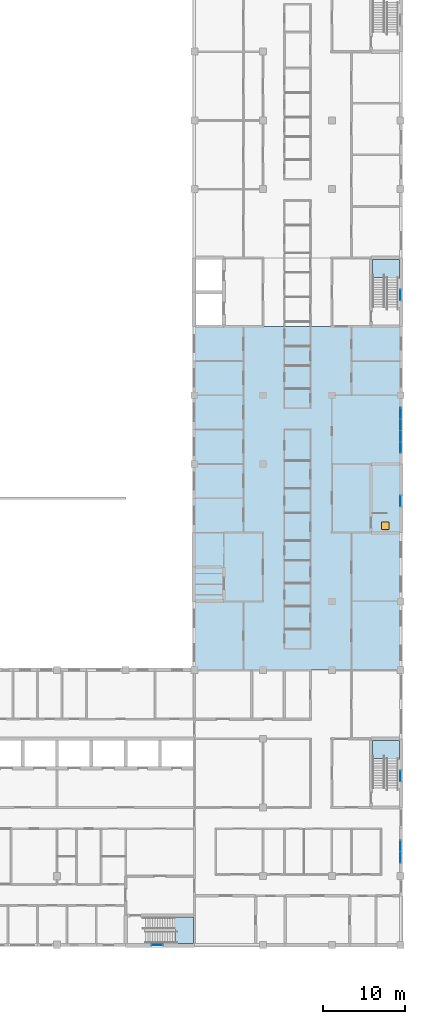
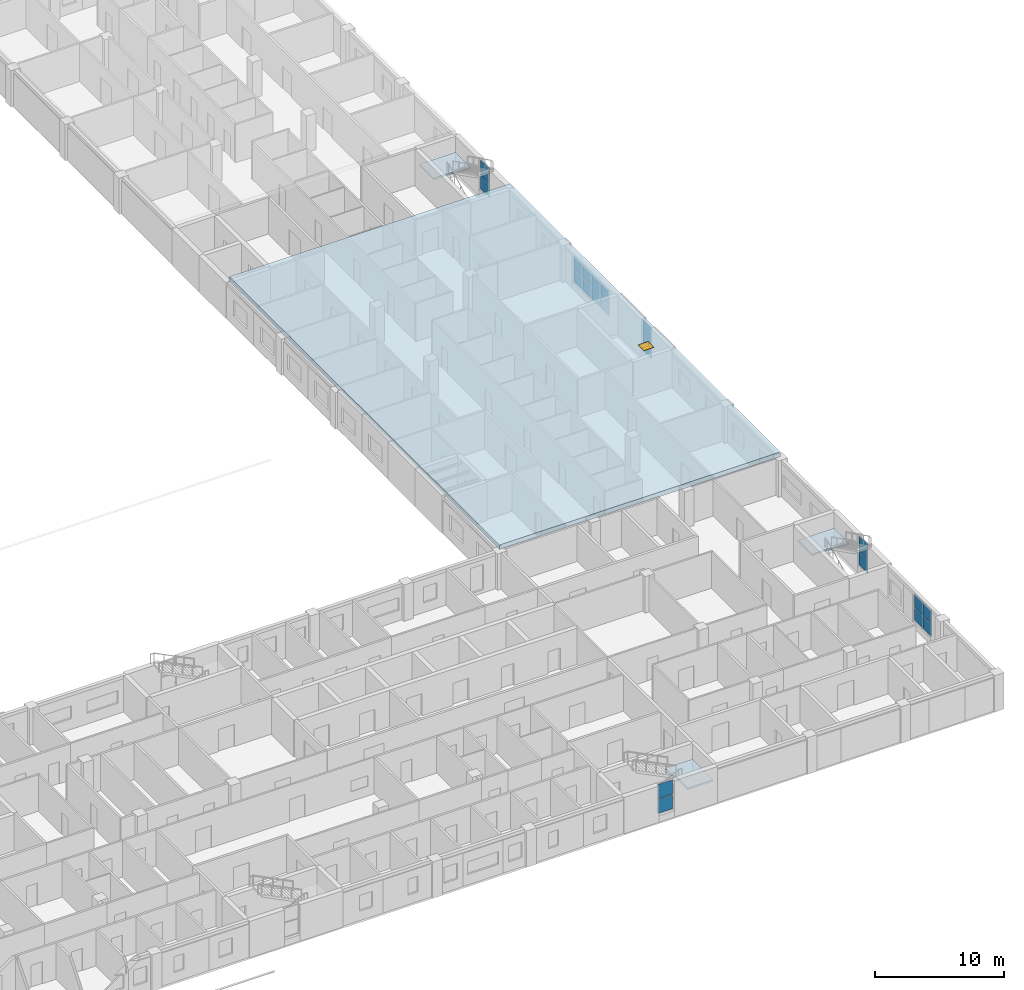
# One storey, part 49 of 94: 20 plates, 4 slabs, 1 door, 1 opening, 9 elements without a shape of their own.
"""IFC4 building model written with IfcOpenShell, lengths in metres."""

from ifc_helpers import new_model, si_unit, direction, frame, origin, origin_2d, place, context, subcontext, project, spatial, polyline, rectangle, outline, extrude, material, layer, layer_set, type_object, element, fill, aggregate, save


model = new_model("IFC4")

# Units and contexts
model_context = context("Model", 3, precision=1e-05, world=origin(), true_north=direction((0.0, 1.0)))
body_context = subcontext(model_context, "Body", "Model", "MODEL_VIEW")
ifc_project = project(units=[si_unit("LENGTHUNIT", "METRE"), si_unit("AREAUNIT", "SQUARE_METRE"), si_unit("VOLUMEUNIT", "CUBIC_METRE"), si_unit("PLANEANGLEUNIT", "RADIAN"), si_unit("MASSUNIT", "GRAM", prefix="KILO")], contexts=[model_context])

# Site, building, storey
site_placement = place(None, origin())
site = spatial("IfcSite", under=ifc_project, at=site_placement, CompositionType="ELEMENT")
building_placement = place(site_placement, origin())
building = spatial("IfcBuilding", under=site, at=building_placement, Name="Yavir Park General Hospital", CompositionType="ELEMENT")
storey_placement = place(building_placement, frame((0.0, 0.0, 4.5)))
storey = spatial("IfcBuildingStorey", under=building, at=storey_placement, Name="L01", CompositionType="ELEMENT", Elevation=4.5)

# Curtain wall, plates
ifc_material_1 = material(Name="Aluminium curtain wall frame with insulated glazing", Category="aluminium")
curtain_wall_type_1 = type_object("IfcCurtainWallType", Name="Clinical corridor end glazing, 2550 high, 1400 module", PredefinedType="NOTDEFINED", material=ifc_material_1)
curtain_wall_1_placement = place(storey_placement, origin())
curtain_wall_1 = element("IfcCurtainWall", 1, at=curtain_wall_1_placement, inside=storey, type_object=curtain_wall_type_1, Name="CW55 L01-028", PredefinedType="NOTDEFINED")
ifc_material_2 = material(Name="Solar-control insulated glazed unit 40 mm")
ifc_layer_1 = layer(ifc_material_2, 0.0400390625)
ifc_layer_set_1 = layer_set([ifc_layer_1], Name="Solar-control insulated glazed unit 40 mm")
plate_type_1 = type_object("IfcPlateType", Name="Clinical corridor end glazing, 2550 high panel 40", PredefinedType="CURTAIN_PANEL", material=ifc_layer_set_1)
plate_1_placement = place(storey_placement, frame((168.0, 10.71240234375, 0.64990234375), z_axis=(0.0, 0.0, 1.0), x_axis=(0.0, 1.0, 0.0)))
plate_1 = element("IfcPlate", 2, at=plate_1_placement, type_object=plate_type_1, Name="CW55 panel 1.1", PredefinedType="CURTAIN_PANEL", context=body_context, shape_type="SweptSolid", body=[
    extrude(rectangle(XDim=1.324951171875, YDim=0.0400390625, at=origin_2d()), origin(), (0.0, 0.0, 1.0), 1.199951171875),
])
plate_2_placement = place(storey_placement, frame((168.0, 10.71240234375, 1.89990234375), z_axis=(0.0, 0.0, 1.0), x_axis=(0.0, 1.0, 0.0)))
plate_2 = element("IfcPlate", 3, at=plate_2_placement, type_object=plate_type_1, Name="CW55 panel 1.2", PredefinedType="CURTAIN_PANEL", context=body_context, shape_type="SweptSolid", body=[
    extrude(rectangle(XDim=1.324951171875, YDim=0.0400390625, at=origin_2d()), origin(), (0.0, 0.0, 1.0), 1.199951171875),
])
plate_3_placement = place(storey_placement, frame((168.0, 12.08740234375, 0.64990234375), z_axis=(0.0, 0.0, 1.0), x_axis=(0.0, 1.0, 0.0)))
plate_3 = element("IfcPlate", 4, at=plate_3_placement, type_object=plate_type_1, Name="CW55 panel 2.1", PredefinedType="CURTAIN_PANEL", context=body_context, shape_type="SweptSolid", body=[
    extrude(rectangle(XDim=1.324951171875, YDim=0.0400390625, at=origin_2d()), origin(), (0.0, 0.0, 1.0), 1.199951171875),
])
plate_4_placement = place(storey_placement, frame((168.0, 12.08740234375, 1.89990234375), z_axis=(0.0, 0.0, 1.0), x_axis=(0.0, 1.0, 0.0)))
plate_4 = element("IfcPlate", 5, at=plate_4_placement, type_object=plate_type_1, Name="CW55 panel 2.2", PredefinedType="CURTAIN_PANEL", context=body_context, shape_type="SweptSolid", body=[
    extrude(rectangle(XDim=1.324951171875, YDim=0.0400390625, at=origin_2d()), origin(), (0.0, 0.0, 1.0), 1.199951171875),
])
aggregate(curtain_wall_1, [plate_1, plate_2, plate_3, plate_4])

ifc_material_3 = material(Name="Aluminium curtain wall frame with insulated glazing", Category="aluminium")
curtain_wall_type_2 = type_object("IfcCurtainWallType", Name="Day room pocket glazing, clinical floors, 2550 high, 1400 module", PredefinedType="NOTDEFINED", material=ifc_material_3)
curtain_wall_2_placement = place(storey_placement, origin())
curtain_wall_2 = element("IfcCurtainWall", 6, at=curtain_wall_2_placement, inside=storey, type_object=curtain_wall_type_2, Name="CW17 L01-031", PredefinedType="NOTDEFINED")
ifc_material_4 = material(Name="Solar-control insulated glazed unit 40 mm")
ifc_layer_2 = layer(ifc_material_4, 0.0400390625)
ifc_layer_set_2 = layer_set([ifc_layer_2], Name="Solar-control insulated glazed unit 40 mm")
plate_type_2 = type_object("IfcPlateType", Name="Day room pocket glazing, clinical floors, 2550 high panel 40", PredefinedType="CURTAIN_PANEL", material=ifc_layer_set_2)
plate_5_placement = place(storey_placement, frame((168.0, 60.81494140625, 0.659912109375), z_axis=(0.0, 0.0, 1.0), x_axis=(0.0, 1.0, 0.0)))
plate_5 = element("IfcPlate", 7, at=plate_5_placement, type_object=plate_type_2, Name="CW17 panel 1.1", PredefinedType="CURTAIN_PANEL", context=body_context, shape_type="SweptSolid", body=[
    extrude(rectangle(XDim=1.31005859375, YDim=0.0400390625, at=origin_2d()), origin(), (0.0, 0.0, 1.0), 1.18505859375),
])
plate_6_placement = place(storey_placement, frame((168.0, 60.81494140625, 1.905029296875), z_axis=(0.0, 0.0, 1.0), x_axis=(0.0, 1.0, 0.0)))
plate_6 = element("IfcPlate", 8, at=plate_6_placement, type_object=plate_type_2, Name="CW17 panel 1.2", PredefinedType="CURTAIN_PANEL", context=body_context, shape_type="SweptSolid", body=[
    extrude(rectangle(XDim=1.31005859375, YDim=0.0400390625, at=origin_2d()), origin(), (0.0, 0.0, 1.0), 1.18505859375),
])
plate_7_placement = place(storey_placement, frame((168.0, 62.199951171875, 0.659912109375), z_axis=(0.0, 0.0, 1.0), x_axis=(0.0, 1.0, 0.0)))
plate_7 = element("IfcPlate", 9, at=plate_7_placement, type_object=plate_type_2, Name="CW17 panel 2.1", PredefinedType="CURTAIN_PANEL", context=body_context, shape_type="SweptSolid", body=[
    extrude(rectangle(XDim=1.340087890625, YDim=0.0400390625, at=origin_2d()), origin(), (0.0, 0.0, 1.0), 1.18505859375),
])
plate_8_placement = place(storey_placement, frame((168.0, 62.199951171875, 1.905029296875), z_axis=(0.0, 0.0, 1.0), x_axis=(0.0, 1.0, 0.0)))
plate_8 = element("IfcPlate", 10, at=plate_8_placement, type_object=plate_type_2, Name="CW17 panel 2.2", PredefinedType="CURTAIN_PANEL", context=body_context, shape_type="SweptSolid", body=[
    extrude(rectangle(XDim=1.340087890625, YDim=0.0400390625, at=origin_2d()), origin(), (0.0, 0.0, 1.0), 1.18505859375),
])
plate_9_placement = place(storey_placement, frame((168.0, 63.60009765625, 0.659912109375), z_axis=(0.0, 0.0, 1.0), x_axis=(0.0, 1.0, 0.0)))
plate_9 = element("IfcPlate", 11, at=plate_9_placement, type_object=plate_type_2, Name="CW17 panel 3.1", PredefinedType="CURTAIN_PANEL", context=body_context, shape_type="SweptSolid", body=[
    extrude(rectangle(XDim=1.340087890625, YDim=0.0400390625, at=origin_2d()), origin(), (0.0, 0.0, 1.0), 1.18505859375),
])
plate_10_placement = place(storey_placement, frame((168.0, 63.60009765625, 1.905029296875), z_axis=(0.0, 0.0, 1.0), x_axis=(0.0, 1.0, 0.0)))
plate_10 = element("IfcPlate", 12, at=plate_10_placement, type_object=plate_type_2, Name="CW17 panel 3.2", PredefinedType="CURTAIN_PANEL", context=body_context, shape_type="SweptSolid", body=[
    extrude(rectangle(XDim=1.340087890625, YDim=0.0400390625, at=origin_2d()), origin(), (0.0, 0.0, 1.0), 1.18505859375),
])
plate_11_placement = place(storey_placement, frame((168.0, 64.985107421875, 0.659912109375), z_axis=(0.0, 0.0, 1.0), x_axis=(0.0, 1.0, 0.0)))
plate_11 = element("IfcPlate", 13, at=plate_11_placement, type_object=plate_type_2, Name="CW17 panel 4.1", PredefinedType="CURTAIN_PANEL", context=body_context, shape_type="SweptSolid", body=[
    extrude(rectangle(XDim=1.31005859375, YDim=0.0400390625, at=origin_2d()), origin(), (0.0, 0.0, 1.0), 1.18505859375),
])
plate_12_placement = place(storey_placement, frame((168.0, 64.985107421875, 1.905029296875), z_axis=(0.0, 0.0, 1.0), x_axis=(0.0, 1.0, 0.0)))
plate_12 = element("IfcPlate", 14, at=plate_12_placement, type_object=plate_type_2, Name="CW17 panel 4.2", PredefinedType="CURTAIN_PANEL", context=body_context, shape_type="SweptSolid", body=[
    extrude(rectangle(XDim=1.31005859375, YDim=0.0400390625, at=origin_2d()), origin(), (0.0, 0.0, 1.0), 1.18505859375),
])
aggregate(curtain_wall_2, [plate_5, plate_6, plate_7, plate_8, plate_9, plate_10, plate_11, plate_12])

# Stair, slab
ifc_material_5 = material(Name="Concrete C30/37", Category="concrete")
stair_type = type_object("IfcStairType", Name="Patient escape stair, 26 risers of 150 mm, 1400 mm flights", PredefinedType="HALF_TURN_STAIR", material=ifc_material_5)
stair_1_placement = place(storey_placement, origin())
stair_1 = element("IfcStair", 15, at=stair_1_placement, inside=storey, type_object=stair_type, Name="Stair SU5, L01 to L02", PredefinedType="HALF_TURN_STAIR")
ifc_material_6 = material(Name="Concrete C30/37", Category="concrete")
ifc_layer_3 = layer(ifc_material_6, 0.159912109375)
ifc_layer_set_3 = layer_set([ifc_layer_3], Name="Concrete C30/37")
slab_type_1 = type_object("IfcSlabType", Name="Patient escape stair half landing, reinforced concrete 160 mm", PredefinedType="LANDING", material=ifc_layer_set_3)
slab_1_placement = place(storey_placement, frame((0.0, 0.0, 1.7900390625)))
slab_1 = element("IfcSlab", 16, at=slab_1_placement, type_object=slab_type_1, Name="SU5 landing 1", PredefinedType="LANDING", context=body_context, shape_type="SweptSolid", body=[
    extrude(outline(polyline([(140.3984375, 0.14990234375), (142.66259765625, 0.14990234375), (142.66259765625, 3.39990234375), (140.25, 3.39990234375), (140.25, 1.949951171875), (140.3984375, 1.949951171875), (140.3984375, 0.14990234375)])), origin(), (0.0, 0.0, 1.0), 0.159912109375),
])
aggregate(stair_1, [slab_1])

stair_2_placement = place(storey_placement, origin())
stair_2 = element("IfcStair", 17, at=stair_2_placement, inside=storey, type_object=stair_type, Name="Stair SU6, L01 to L02", PredefinedType="HALF_TURN_STAIR")
slab_2_placement = place(storey_placement, frame((0.0, 0.0, 1.7900390625)))
slab_2 = element("IfcSlab", 18, at=slab_2_placement, type_object=slab_type_1, Name="SU6 landing 1", PredefinedType="LANDING", context=body_context, shape_type="SweptSolid", body=[
    extrude(outline(polyline([(164.60009765625, 22.798583984375), (164.60009765625, 25.0), (167.85009765625, 25.0), (167.85009765625, 22.64990234375), (166.300048828125, 22.64990234375), (166.300048828125, 22.798583984375), (164.60009765625, 22.798583984375)])), origin(), (0.0, 0.0, 1.0), 0.159912109375),
])
aggregate(stair_2, [slab_2])

stair_3_placement = place(storey_placement, origin())
stair_3 = element("IfcStair", 19, at=stair_3_placement, inside=storey, type_object=stair_type, Name="Stair ES2, L01 to L02", PredefinedType="HALF_TURN_STAIR")
slab_3_placement = place(storey_placement, frame((0.0, 0.0, 1.7900390625)))
slab_3 = element("IfcSlab", 20, at=slab_3_placement, type_object=slab_type_1, Name="ES2 landing 1", PredefinedType="LANDING", context=body_context, shape_type="SweptSolid", body=[
    extrude(outline(polyline([(164.60009765625, 81.598388671875), (164.60009765625, 83.800048828125), (167.85009765625, 83.800048828125), (167.85009765625, 81.449951171875), (166.300048828125, 81.449951171875), (166.300048828125, 81.598388671875), (164.60009765625, 81.598388671875)])), origin(), (0.0, 0.0, 1.0), 0.159912109375),
])
aggregate(stair_3, [slab_3])

# Slab, opening, door
ifc_material_7 = material(Name="Concrete C35/45", Category="concrete")
ifc_layer_4 = layer(ifc_material_7, 0.449951171875)
ifc_layer_set_4 = layer_set([ifc_layer_4], Name="Concrete C35/45")
slab_type_2 = type_object("IfcSlabType", Name="RC SLAB ROOF 450", PredefinedType="ROOF", material=ifc_layer_set_4)
slab_4_placement = place(storey_placement, frame((0.0, 0.0, 3.44970703125)))
slab_4 = element("IfcSlab", 21, at=slab_4_placement, inside=storey, type_object=slab_type_2, Name="RF:L01:0", PredefinedType="ROOF", context=body_context, shape_type="SweptSolid", body=[
    extrude(outline(polyline([(142.800048828125, 75.60009765625), (142.800048828125, 33.60009765625), (168.0, 33.60009765625), (168.0, 75.60009765625), (142.800048828125, 75.60009765625)])), origin(), (0.0, 0.0, 1.0), 0.4501953125),
])
opening_placement = place(slab_4_placement, frame((166.14990234375, 51.25, 0.0)))
opening = element("IfcOpeningElement", 22, at=opening_placement, cuts=slab_4, Name="Opening L01.H01", PredefinedType="OPENING", context=body_context, shape_type="SweptSolid", body=[
    extrude(rectangle(XDim=0.89990234375, YDim=0.89990234375, at=origin_2d()), origin(), (0.0, 0.0, 1.0), 0.4501953125),
])
ifc_material_8 = material(Name="Insulated steel hatch cover", Category="steel")
door_type = type_object("IfcDoorType", Name="Roof access hatch 900 x 900", OperationType="SINGLE_SWING_LEFT", PredefinedType="TRAPDOOR", material=ifc_material_8)
door_placement = place(opening_placement, frame((0.0, 0.0, 0.400146484375)))
door = element("IfcDoor", 23, at=door_placement, inside=storey, type_object=door_type, Name="L01.H01", OperationType="SINGLE_SWING_LEFT", OverallHeight=0.89990234375, OverallWidth=0.89990234375, PredefinedType="TRAPDOOR", context=body_context, shape_type="SweptSolid", body=[
    extrude(rectangle(XDim=0.89990234375, YDim=0.89990234375, at=origin_2d()), origin(), (0.0, 0.0, 1.0), 0.050048828125),
])
fill(opening, door)

# Curtain wall, plates
ifc_material_9 = material(Name="Aluminium curtain wall frame with insulated glazing", Category="aluminium")
curtain_wall_type_3 = type_object("IfcCurtainWallType", Name="Stair light slot, podium, 2850 high, 1400 module", PredefinedType="NOTDEFINED", material=ifc_material_9)
curtain_wall_3_placement = place(storey_placement, origin())
curtain_wall_3 = element("IfcCurtainWall", 24, at=curtain_wall_3_placement, inside=storey, type_object=curtain_wall_type_3, Name="CW9 L01-004", PredefinedType="NOTDEFINED")
ifc_material_10 = material(Name="Fire-resisting glazed unit 70 mm")
ifc_layer_5 = layer(ifc_material_10, 0.070068359375)
ifc_layer_set_5 = layer_set([ifc_layer_5], Name="Fire-resisting glazed unit 70 mm")
plate_type_3 = type_object("IfcPlateType", Name="Stair light slot, podium, 2850 high panel 70", PredefinedType="CURTAIN_PANEL", material=ifc_layer_set_5)
plate_13_placement = place(storey_placement, frame((138.25, 0.0, 0.64990234375), z_axis=(0.0, 0.0, 1.0), x_axis=(1.0, 0.0, 0.0)))
plate_13 = element("IfcPlate", 25, at=plate_13_placement, type_object=plate_type_3, Name="CW9 panel 1.1", PredefinedType="CURTAIN_PANEL", context=body_context, shape_type="SweptSolid", body=[
    extrude(rectangle(XDim=1.300048828125, YDim=0.070068359375, at=origin_2d()), origin(), (0.0, 0.0, 1.0), 1.35009765625),
])
plate_14_placement = place(storey_placement, frame((138.25, 0.0, 2.050048828125), z_axis=(0.0, 0.0, 1.0), x_axis=(1.0, 0.0, 0.0)))
plate_14 = element("IfcPlate", 26, at=plate_14_placement, type_object=plate_type_3, Name="CW9 panel 1.2", PredefinedType="CURTAIN_PANEL", context=body_context, shape_type="SweptSolid", body=[
    extrude(rectangle(XDim=1.300048828125, YDim=0.070068359375, at=origin_2d()), origin(), (0.0, 0.0, 1.0), 1.35009765625),
])
aggregate(curtain_wall_3, [plate_13, plate_14])

curtain_wall_4_placement = place(storey_placement, origin())
curtain_wall_4 = element("IfcCurtainWall", 27, at=curtain_wall_4_placement, inside=storey, type_object=curtain_wall_type_3, Name="CW9 L01-029", PredefinedType="NOTDEFINED")
plate_15_placement = place(storey_placement, frame((168.0, 20.64990234375, 0.64990234375), z_axis=(0.0, 0.0, 1.0), x_axis=(0.0, 1.0, 0.0)))
plate_15 = element("IfcPlate", 28, at=plate_15_placement, type_object=plate_type_3, Name="CW9 panel 1.1", PredefinedType="CURTAIN_PANEL", context=body_context, shape_type="SweptSolid", body=[
    extrude(rectangle(XDim=1.300048828125, YDim=0.070068359375, at=origin_2d()), origin(), (0.0, 0.0, 1.0), 1.35009765625),
])
plate_16_placement = place(storey_placement, frame((168.0, 20.64990234375, 2.050048828125), z_axis=(0.0, 0.0, 1.0), x_axis=(0.0, 1.0, 0.0)))
plate_16 = element("IfcPlate", 29, at=plate_16_placement, type_object=plate_type_3, Name="CW9 panel 1.2", PredefinedType="CURTAIN_PANEL", context=body_context, shape_type="SweptSolid", body=[
    extrude(rectangle(XDim=1.300048828125, YDim=0.070068359375, at=origin_2d()), origin(), (0.0, 0.0, 1.0), 1.35009765625),
])
aggregate(curtain_wall_4, [plate_15, plate_16])

curtain_wall_5_placement = place(storey_placement, origin())
curtain_wall_5 = element("IfcCurtainWall", 30, at=curtain_wall_5_placement, inside=storey, type_object=curtain_wall_type_3, Name="CW9 L01-032", PredefinedType="NOTDEFINED")
plate_17_placement = place(storey_placement, frame((168.0, 79.449951171875, 0.64990234375), z_axis=(0.0, 0.0, 1.0), x_axis=(0.0, 1.0, 0.0)))
plate_17 = element("IfcPlate", 31, at=plate_17_placement, type_object=plate_type_3, Name="CW9 panel 1.1", PredefinedType="CURTAIN_PANEL", context=body_context, shape_type="SweptSolid", body=[
    extrude(rectangle(XDim=1.300048828125, YDim=0.070068359375, at=origin_2d()), origin(), (0.0, 0.0, 1.0), 1.35009765625),
])
plate_18_placement = place(storey_placement, frame((168.0, 79.449951171875, 2.050048828125), z_axis=(0.0, 0.0, 1.0), x_axis=(0.0, 1.0, 0.0)))
plate_18 = element("IfcPlate", 32, at=plate_18_placement, type_object=plate_type_3, Name="CW9 panel 1.2", PredefinedType="CURTAIN_PANEL", context=body_context, shape_type="SweptSolid", body=[
    extrude(rectangle(XDim=1.300048828125, YDim=0.070068359375, at=origin_2d()), origin(), (0.0, 0.0, 1.0), 1.35009765625),
])
aggregate(curtain_wall_5, [plate_17, plate_18])

ifc_material_11 = material(Name="Aluminium curtain wall frame with insulated glazing", Category="aluminium")
curtain_wall_type_4 = type_object("IfcCurtainWallType", Name="Stair light slot, podium, 3000 high, 1400 module", PredefinedType="NOTDEFINED", material=ifc_material_11)
curtain_wall_6_placement = place(storey_placement, origin())
curtain_wall_6 = element("IfcCurtainWall", 33, at=curtain_wall_6_placement, inside=storey, type_object=curtain_wall_type_4, Name="CW56 L01-030", PredefinedType="NOTDEFINED")
ifc_material_12 = material(Name="Fire-resisting glazed unit 70 mm")
ifc_layer_6 = layer(ifc_material_12, 0.070068359375)
ifc_layer_set_6 = layer_set([ifc_layer_6], Name="Fire-resisting glazed unit 70 mm")
plate_type_4 = type_object("IfcPlateType", Name="Stair light slot, podium, 3000 high panel 70", PredefinedType="CURTAIN_PANEL", material=ifc_layer_set_6)
plate_19_placement = place(storey_placement, frame((168.0, 54.25, 0.64990234375), z_axis=(0.0, 0.0, 1.0), x_axis=(0.0, 1.0, 0.0)))
plate_19 = element("IfcPlate", 34, at=plate_19_placement, type_object=plate_type_4, Name="CW56 panel 1.1", PredefinedType="CURTAIN_PANEL", context=body_context, shape_type="SweptSolid", body=[
    extrude(rectangle(XDim=1.300048828125, YDim=0.070068359375, at=origin_2d()), origin(), (0.0, 0.0, 1.0), 1.425048828125),
])
plate_20_placement = place(storey_placement, frame((168.0, 54.25, 2.125), z_axis=(0.0, 0.0, 1.0), x_axis=(0.0, 1.0, 0.0)))
plate_20 = element("IfcPlate", 35, at=plate_20_placement, type_object=plate_type_4, Name="CW56 panel 1.2", PredefinedType="CURTAIN_PANEL", context=body_context, shape_type="SweptSolid", body=[
    extrude(rectangle(XDim=1.300048828125, YDim=0.070068359375, at=origin_2d()), origin(), (0.0, 0.0, 1.0), 1.425048828125),
])
aggregate(curtain_wall_6, [plate_19, plate_20])

save(model, "model.ifc")
